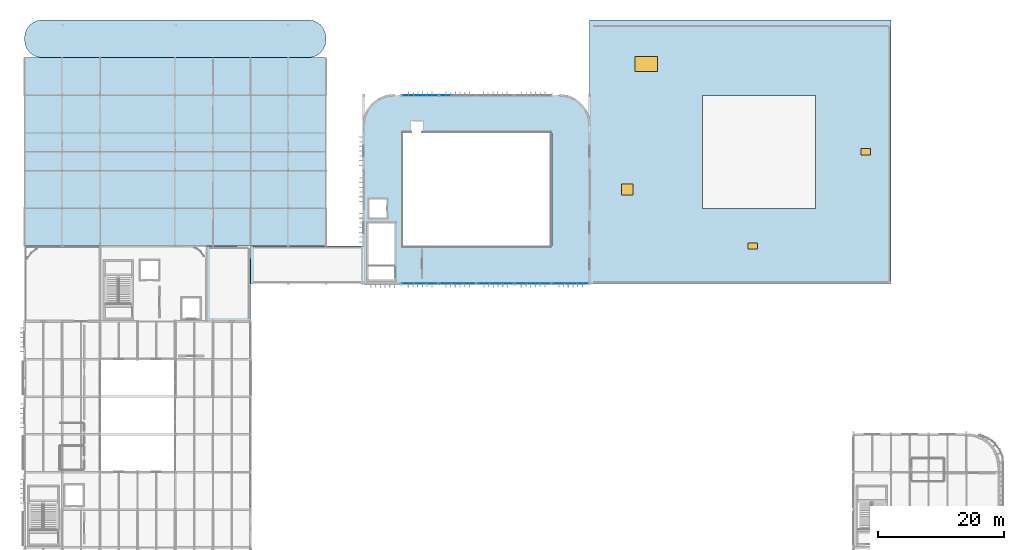
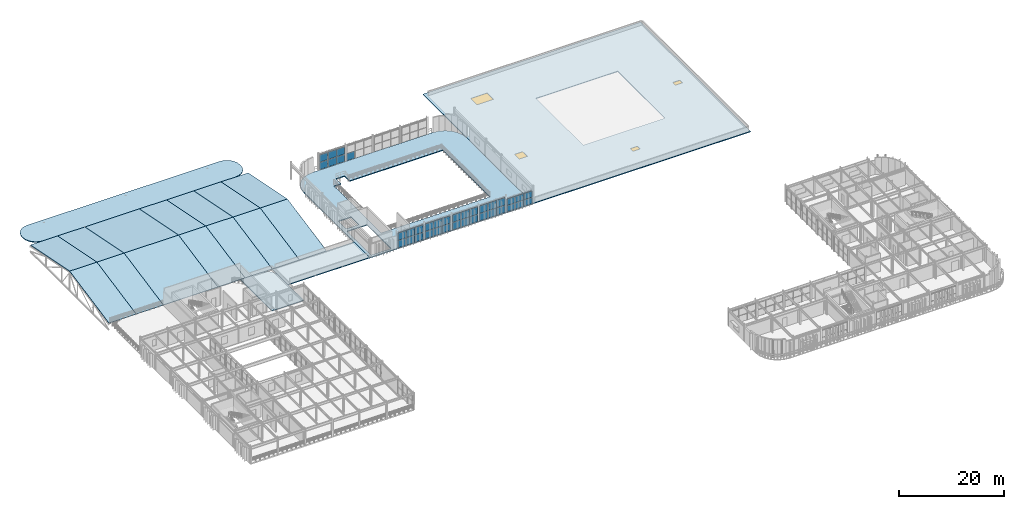
# One storey, part 49 of 83: 37 plates, 19 slabs, 2 doors, 2 windows, 4 openings, 7 elements without a shape of their own.
"""IFC4 building model written with IfcOpenShell, lengths in metres."""

from ifc_helpers import new_model, si_unit, direction, frame, origin, origin_2d, place, context, subcontext, project, spatial, polyline, rectangle, outline, extrude, material, layer, layer_set, type_object, element, fill, aggregate, save


model = new_model("IFC4")

# Units and contexts
model_context = context("Model", 3, precision=1e-05, world=origin(), true_north=direction((0.0, 1.0)))
body_context = subcontext(model_context, "Body", "Model", "MODEL_VIEW")
ifc_project = project(units=[si_unit("LENGTHUNIT", "METRE"), si_unit("AREAUNIT", "SQUARE_METRE"), si_unit("VOLUMEUNIT", "CUBIC_METRE"), si_unit("PLANEANGLEUNIT", "RADIAN"), si_unit("MASSUNIT", "GRAM", prefix="KILO")], contexts=[model_context])

# Site, building, storey
site_placement = place(None, origin())
site = spatial("IfcSite", under=ifc_project, at=site_placement, CompositionType="ELEMENT")
building_placement = place(site_placement, origin())
building = spatial("IfcBuilding", under=site, at=building_placement, Name="Varnakota Square Police Headquarters", CompositionType="ELEMENT")
storey_placement = place(building_placement, frame((0.0, 0.0, 18.0)))
storey = spatial("IfcBuildingStorey", under=building, at=storey_placement, Name="L04", CompositionType="ELEMENT", Elevation=18.0)

# Curtain wall, plates
ifc_material_1 = material(Name="Anodised Aluminium Framing", Category="aluminium")
curtain_wall_type_1 = type_object("IfcCurtainWallType", Name="CW-SYS-B", PredefinedType="NOTDEFINED", material=ifc_material_1)
curtain_wall_1_placement = place(storey_placement, origin())
curtain_wall_1 = element("IfcCurtainWall", 1, at=curtain_wall_1_placement, inside=storey, type_object=curtain_wall_type_1, Name="Unitised curtain wall CWG-L04-255", PredefinedType="NOTDEFINED")
ifc_material_2 = material(Name="Solar-Control Laminated Double Glazing", Category="glass")
ifc_layer_1 = layer(ifc_material_2, 0.028076171875, Name="Solar-Control Laminated Double Glazing")
ifc_layer_set_1 = layer_set([ifc_layer_1], Name="Solar-Control Laminated Double Glazing")
plate_type_1 = type_object("IfcPlateType", Name="CWP-GLZ-28", PredefinedType="CURTAIN_PANEL", material=ifc_layer_set_1)
plate_1_placement = place(storey_placement, frame((73.110595703125, 69.0, 0.06494140625), z_axis=(0.0, 0.0, 1.0), x_axis=(1.0, 0.0, 0.0)))
plate_1 = element("IfcPlate", 2, at=plate_1_placement, type_object=plate_type_1, Name="CWG-L04-255 panel 1.1", PredefinedType="CURTAIN_PANEL", context=body_context, shape_type="SweptSolid", body=[
    extrude(rectangle(XDim=1.781494140625, YDim=0.028076171875, at=origin_2d()), origin(), (0.0, 0.0, 1.0), 1.697509765625),
])
plate_2_placement = place(storey_placement, frame((74.973388671875, 69.0, 0.06494140625), z_axis=(0.0, 0.0, 1.0), x_axis=(1.0, 0.0, 0.0)))
plate_2 = element("IfcPlate", 3, at=plate_2_placement, type_object=plate_type_1, Name="CWG-L04-255 panel 2.1", PredefinedType="CURTAIN_PANEL", context=body_context, shape_type="SweptSolid", body=[
    extrude(rectangle(XDim=1.81396484375, YDim=0.028076171875, at=origin_2d()), origin(), (0.0, 0.0, 1.0), 1.697509765625),
])
plate_3_placement = place(storey_placement, frame((76.836181640625, 69.0, 0.06494140625), z_axis=(0.0, 0.0, 1.0), x_axis=(1.0, 0.0, 0.0)))
plate_3 = element("IfcPlate", 4, at=plate_3_placement, type_object=plate_type_1, Name="CWG-L04-255 panel 3.1", PredefinedType="CURTAIN_PANEL", context=body_context, shape_type="SweptSolid", body=[
    extrude(rectangle(XDim=1.781494140625, YDim=0.028076171875, at=origin_2d()), origin(), (0.0, 0.0, 1.0), 1.697509765625),
])

curtain_wall_type_2 = type_object("IfcCurtainWallType", Name="CW-SYS-C", PredefinedType="NOTDEFINED", material=ifc_material_1)
curtain_wall_2_placement = place(storey_placement, origin())
curtain_wall_2 = element("IfcCurtainWall", 5, at=curtain_wall_2_placement, inside=storey, type_object=curtain_wall_type_2, Name="Unitised curtain wall CWG-L04-259", PredefinedType="NOTDEFINED")
plate_4_placement = place(storey_placement, frame((67.16796875, 99.0, 0.06494140625), z_axis=(0.0, 0.0, 1.0), x_axis=(1.0, 0.0, 0.0)))
plate_4 = element("IfcPlate", 6, at=plate_4_placement, type_object=plate_type_1, Name="CWG-L04-259 panel 1.1", PredefinedType="CURTAIN_PANEL", context=body_context, shape_type="SweptSolid", body=[
    extrude(rectangle(XDim=1.789794921875, YDim=0.028076171875, at=origin_2d()), origin(), (0.0, 0.0, 1.0), 1.697509765625),
])
plate_5_placement = place(storey_placement, frame((69.0390625, 99.0, 0.06494140625), z_axis=(0.0, 0.0, 1.0), x_axis=(1.0, 0.0, 0.0)))
plate_5 = element("IfcPlate", 7, at=plate_5_placement, type_object=plate_type_1, Name="CWG-L04-259 panel 2.1", PredefinedType="CURTAIN_PANEL", context=body_context, shape_type="SweptSolid", body=[
    extrude(rectangle(XDim=1.822265625, YDim=0.028076171875, at=origin_2d()), origin(), (0.0, 0.0, 1.0), 1.697509765625),
])
plate_6_placement = place(storey_placement, frame((70.91015625, 99.0, 0.06494140625), z_axis=(0.0, 0.0, 1.0), x_axis=(1.0, 0.0, 0.0)))
plate_6 = element("IfcPlate", 8, at=plate_6_placement, type_object=plate_type_1, Name="CWG-L04-259 panel 3.1", PredefinedType="CURTAIN_PANEL", context=body_context, shape_type="SweptSolid", body=[
    extrude(rectangle(XDim=1.789794921875, YDim=0.028076171875, at=origin_2d()), origin(), (0.0, 0.0, 1.0), 1.697509765625),
])

curtain_wall_3_placement = place(storey_placement, origin())
curtain_wall_3 = element("IfcCurtainWall", 9, at=curtain_wall_3_placement, inside=storey, type_object=curtain_wall_type_1, Name="Unitised curtain wall CWG-L04-256", PredefinedType="NOTDEFINED")
ifc_material_3 = material(Name="Acoustic Laminated Double Glazing", Category="glass")
ifc_layer_2 = layer(ifc_material_3, 0.031982421875, Name="Acoustic Laminated Double Glazing")
ifc_layer_set_2 = layer_set([ifc_layer_2], Name="Acoustic Laminated Double Glazing")
plate_type_2 = type_object("IfcPlateType", Name="CWP-GLZ-32", PredefinedType="CURTAIN_PANEL", material=ifc_layer_set_2)
plate_7_placement = place(storey_placement, frame((79.16796875, 69.0, 0.06494140625), z_axis=(0.0, 0.0, 1.0), x_axis=(1.0, 0.0, 0.0)))
plate_7 = element("IfcPlate", 10, at=plate_7_placement, type_object=plate_type_2, Name="CWG-L04-256 panel 1.1", PredefinedType="CURTAIN_PANEL", context=body_context, shape_type="SweptSolid", body=[
    extrude(rectangle(XDim=1.789794921875, YDim=0.031982421875, at=origin_2d()), origin(), (0.0, 0.0, 1.0), 1.697509765625),
])
plate_8_placement = place(storey_placement, frame((81.0390625, 69.0, 0.06494140625), z_axis=(0.0, 0.0, 1.0), x_axis=(1.0, 0.0, 0.0)))
plate_8 = element("IfcPlate", 11, at=plate_8_placement, type_object=plate_type_2, Name="CWG-L04-256 panel 2.1", PredefinedType="CURTAIN_PANEL", context=body_context, shape_type="SweptSolid", body=[
    extrude(rectangle(XDim=1.822265625, YDim=0.031982421875, at=origin_2d()), origin(), (0.0, 0.0, 1.0), 1.697509765625),
])
plate_9_placement = place(storey_placement, frame((82.91015625, 69.0, 0.06494140625), z_axis=(0.0, 0.0, 1.0), x_axis=(1.0, 0.0, 0.0)))
plate_9 = element("IfcPlate", 12, at=plate_9_placement, type_object=plate_type_2, Name="CWG-L04-256 panel 3.1", PredefinedType="CURTAIN_PANEL", context=body_context, shape_type="SweptSolid", body=[
    extrude(rectangle(XDim=1.789794921875, YDim=0.031982421875, at=origin_2d()), origin(), (0.0, 0.0, 1.0), 1.697509765625),
])

# Curtain wall, plate
curtain_wall_4_placement = place(storey_placement, origin())
curtain_wall_4 = element("IfcCurtainWall", 13, at=curtain_wall_4_placement, inside=storey, type_object=curtain_wall_type_2, Name="Unitised curtain wall CWG-L04-260", PredefinedType="NOTDEFINED")
plate_10_placement = place(storey_placement, frame((73.0986328125, 99.0, 0.06494140625), z_axis=(0.0, 0.0, 1.0), x_axis=(1.0, 0.0, 0.0)))
plate_10 = element("IfcPlate", 14, at=plate_10_placement, type_object=plate_type_2, Name="CWG-L04-260 panel 1.1", PredefinedType="CURTAIN_PANEL", context=body_context, shape_type="SweptSolid", body=[
    extrude(rectangle(XDim=1.8076171875, YDim=0.031982421875, at=origin_2d()), origin(), (0.0, 0.0, 1.0), 1.697509765625),
])
aggregate(curtain_wall_4, [plate_10])

# Curtain wall, plates
curtain_wall_5_placement = place(storey_placement, origin())
curtain_wall_5 = element("IfcCurtainWall", 15, at=curtain_wall_5_placement, inside=storey, type_object=curtain_wall_type_1, Name="Unitised curtain wall CWG-L04-257", PredefinedType="NOTDEFINED")
ifc_material_4 = material(Name="Blast-Resistant Laminated Glazing", Category="glass")
ifc_layer_3 = layer(ifc_material_4, 0.035888671875, Name="Blast-Resistant Laminated Glazing")
ifc_layer_set_3 = layer_set([ifc_layer_3], Name="Blast-Resistant Laminated Glazing")
plate_type_3 = type_object("IfcPlateType", Name="CWP-GLZ-36", PredefinedType="CURTAIN_PANEL", material=ifc_layer_set_3)
plate_11_placement = place(storey_placement, frame((85.0986328125, 69.0, 0.06494140625), z_axis=(0.0, 0.0, 1.0), x_axis=(1.0, 0.0, 0.0)))
plate_11 = element("IfcPlate", 16, at=plate_11_placement, type_object=plate_type_3, Name="CWG-L04-257 panel 1.1", PredefinedType="CURTAIN_PANEL", context=body_context, shape_type="SweptSolid", body=[
    extrude(rectangle(XDim=1.8076171875, YDim=0.035888671875, at=origin_2d()), origin(), (0.0, 0.0, 1.0), 1.697509765625),
])
plate_12_placement = place(storey_placement, frame((86.987548828125, 69.0, 0.06494140625), z_axis=(0.0, 0.0, 1.0), x_axis=(1.0, 0.0, 0.0)))
plate_12 = element("IfcPlate", 17, at=plate_12_placement, type_object=plate_type_3, Name="CWG-L04-257 panel 2.1", PredefinedType="CURTAIN_PANEL", context=body_context, shape_type="SweptSolid", body=[
    extrude(rectangle(XDim=1.840087890625, YDim=0.035888671875, at=origin_2d()), origin(), (0.0, 0.0, 1.0), 1.697509765625),
])
plate_13_placement = place(storey_placement, frame((88.876220703125, 69.0, 0.06494140625), z_axis=(0.0, 0.0, 1.0), x_axis=(1.0, 0.0, 0.0)))
plate_13 = element("IfcPlate", 18, at=plate_13_placement, type_object=plate_type_3, Name="CWG-L04-257 panel 3.1", PredefinedType="CURTAIN_PANEL", context=body_context, shape_type="SweptSolid", body=[
    extrude(rectangle(XDim=1.8076171875, YDim=0.035888671875, at=origin_2d()), origin(), (0.0, 0.0, 1.0), 1.697509765625),
])

curtain_wall_6_placement = place(storey_placement, origin())
curtain_wall_6 = element("IfcCurtainWall", 19, at=curtain_wall_6_placement, inside=storey, type_object=curtain_wall_type_1, Name="Unitised curtain wall CWG-L04-254", PredefinedType="NOTDEFINED")
ifc_material_5 = material(Name="Triple-Glazed Clean-Lab Vision Unit", Category="aluminium")
ifc_layer_4 = layer(ifc_material_5, 0.0419921875, Name="Triple-Glazed Clean-Lab Vision Unit")
ifc_layer_set_4 = layer_set([ifc_layer_4], Name="Triple-Glazed Clean-Lab Vision Unit")
plate_type_4 = type_object("IfcPlateType", Name="CWP-GLZ-42", PredefinedType="CURTAIN_PANEL", material=ifc_layer_set_4)
plate_14_placement = place(storey_placement, frame((67.0986328125, 69.0, 0.06494140625), z_axis=(0.0, 0.0, 1.0), x_axis=(1.0, 0.0, 0.0)))
plate_14 = element("IfcPlate", 20, at=plate_14_placement, type_object=plate_type_4, Name="CWG-L04-254 panel 1.1", PredefinedType="CURTAIN_PANEL", context=body_context, shape_type="SweptSolid", body=[
    extrude(rectangle(XDim=1.8076171875, YDim=0.0419921875, at=origin_2d()), origin(), (0.0, 0.0, 1.0), 1.697509765625),
])
plate_15_placement = place(storey_placement, frame((68.987548828125, 69.0, 0.06494140625), z_axis=(0.0, 0.0, 1.0), x_axis=(1.0, 0.0, 0.0)))
plate_15 = element("IfcPlate", 21, at=plate_15_placement, type_object=plate_type_4, Name="CWG-L04-254 panel 2.1", PredefinedType="CURTAIN_PANEL", context=body_context, shape_type="SweptSolid", body=[
    extrude(rectangle(XDim=1.840087890625, YDim=0.0419921875, at=origin_2d()), origin(), (0.0, 0.0, 1.0), 1.697509765625),
])
plate_16_placement = place(storey_placement, frame((70.876220703125, 69.0, 0.06494140625), z_axis=(0.0, 0.0, 1.0), x_axis=(1.0, 0.0, 0.0)))
plate_16 = element("IfcPlate", 22, at=plate_16_placement, type_object=plate_type_4, Name="CWG-L04-254 panel 3.1", PredefinedType="CURTAIN_PANEL", context=body_context, shape_type="SweptSolid", body=[
    extrude(rectangle(XDim=1.8076171875, YDim=0.0419921875, at=origin_2d()), origin(), (0.0, 0.0, 1.0), 1.697509765625),
])

curtain_wall_7_placement = place(storey_placement, origin())
curtain_wall_7 = element("IfcCurtainWall", 23, at=curtain_wall_7_placement, inside=storey, type_object=curtain_wall_type_1, Name="Unitised curtain wall CWG-L04-258", PredefinedType="NOTDEFINED")
plate_17_placement = place(storey_placement, frame((91.110595703125, 69.0, 0.06494140625), z_axis=(0.0, 0.0, 1.0), x_axis=(1.0, 0.0, 0.0)))
plate_17 = element("IfcPlate", 24, at=plate_17_placement, type_object=plate_type_4, Name="CWG-L04-258 panel 1.1", PredefinedType="CURTAIN_PANEL", context=body_context, shape_type="SweptSolid", body=[
    extrude(rectangle(XDim=1.781494140625, YDim=0.0419921875, at=origin_2d()), origin(), (0.0, 0.0, 1.0), 1.447509765625),
])
plate_18_placement = place(storey_placement, frame((92.973388671875, 69.0, 0.06494140625), z_axis=(0.0, 0.0, 1.0), x_axis=(1.0, 0.0, 0.0)))
plate_18 = element("IfcPlate", 25, at=plate_18_placement, type_object=plate_type_4, Name="CWG-L04-258 panel 2.1", PredefinedType="CURTAIN_PANEL", context=body_context, shape_type="SweptSolid", body=[
    extrude(rectangle(XDim=1.81396484375, YDim=0.0419921875, at=origin_2d()), origin(), (0.0, 0.0, 1.0), 1.447509765625),
])
plate_19_placement = place(storey_placement, frame((94.836181640625, 69.0, 0.06494140625), z_axis=(0.0, 0.0, 1.0), x_axis=(1.0, 0.0, 0.0)))
plate_19 = element("IfcPlate", 26, at=plate_19_placement, type_object=plate_type_4, Name="CWG-L04-258 panel 3.1", PredefinedType="CURTAIN_PANEL", context=body_context, shape_type="SweptSolid", body=[
    extrude(rectangle(XDim=1.781494140625, YDim=0.0419921875, at=origin_2d()), origin(), (0.0, 0.0, 1.0), 1.447509765625),
])

# Plate
ifc_material_6 = material(Name="Insulated Anodised Aluminium Spandrel Panel", Category="aluminium")
ifc_layer_5 = layer(ifc_material_6, 0.050048828125, Name="Insulated Anodised Aluminium Spandrel Panel")
ifc_layer_set_5 = layer_set([ifc_layer_5], Name="Insulated Anodised Aluminium Spandrel Panel")
plate_type_5 = type_object("IfcPlateType", Name="CWP-SPN-50", PredefinedType="CURTAIN_PANEL", material=ifc_layer_set_5)
plate_20_placement = place(storey_placement, frame((73.110595703125, 69.0, 1.82763671875), z_axis=(0.0, 0.0, 1.0), x_axis=(1.0, 0.0, 0.0)))
plate_20 = element("IfcPlate", 27, at=plate_20_placement, type_object=plate_type_5, Name="CWG-L04-255 panel 1.2", PredefinedType="CURTAIN_PANEL", context=body_context, shape_type="SweptSolid", body=[
    extrude(rectangle(XDim=1.781494140625, YDim=0.050048828125, at=origin_2d()), origin(), (0.0, 0.0, 1.0), 1.697509765625),
])

plate_21_placement = place(storey_placement, frame((74.973388671875, 69.0, 1.82763671875), z_axis=(0.0, 0.0, 1.0), x_axis=(1.0, 0.0, 0.0)))
plate_21 = element("IfcPlate", 28, at=plate_21_placement, type_object=plate_type_5, Name="CWG-L04-255 panel 2.2", PredefinedType="CURTAIN_PANEL", context=body_context, shape_type="SweptSolid", body=[
    extrude(rectangle(XDim=1.81396484375, YDim=0.050048828125, at=origin_2d()), origin(), (0.0, 0.0, 1.0), 1.697509765625),
])

plate_22_placement = place(storey_placement, frame((76.836181640625, 69.0, 1.82763671875), z_axis=(0.0, 0.0, 1.0), x_axis=(1.0, 0.0, 0.0)))
plate_22 = element("IfcPlate", 29, at=plate_22_placement, type_object=plate_type_5, Name="CWG-L04-255 panel 3.2", PredefinedType="CURTAIN_PANEL", context=body_context, shape_type="SweptSolid", body=[
    extrude(rectangle(XDim=1.781494140625, YDim=0.050048828125, at=origin_2d()), origin(), (0.0, 0.0, 1.0), 1.697509765625),
])

aggregate(curtain_wall_1, [plate_1, plate_20, plate_2, plate_21, plate_3, plate_22])

plate_23_placement = place(storey_placement, frame((85.0986328125, 69.0, 1.82763671875), z_axis=(0.0, 0.0, 1.0), x_axis=(1.0, 0.0, 0.0)))
plate_23 = element("IfcPlate", 30, at=plate_23_placement, type_object=plate_type_5, Name="CWG-L04-257 panel 1.2", PredefinedType="CURTAIN_PANEL", context=body_context, shape_type="SweptSolid", body=[
    extrude(rectangle(XDim=1.8076171875, YDim=0.050048828125, at=origin_2d()), origin(), (0.0, 0.0, 1.0), 1.697509765625),
])

plate_24_placement = place(storey_placement, frame((86.987548828125, 69.0, 1.82763671875), z_axis=(0.0, 0.0, 1.0), x_axis=(1.0, 0.0, 0.0)))
plate_24 = element("IfcPlate", 31, at=plate_24_placement, type_object=plate_type_5, Name="CWG-L04-257 panel 2.2", PredefinedType="CURTAIN_PANEL", context=body_context, shape_type="SweptSolid", body=[
    extrude(rectangle(XDim=1.840087890625, YDim=0.050048828125, at=origin_2d()), origin(), (0.0, 0.0, 1.0), 1.697509765625),
])

plate_25_placement = place(storey_placement, frame((88.876220703125, 69.0, 1.82763671875), z_axis=(0.0, 0.0, 1.0), x_axis=(1.0, 0.0, 0.0)))
plate_25 = element("IfcPlate", 32, at=plate_25_placement, type_object=plate_type_5, Name="CWG-L04-257 panel 3.2", PredefinedType="CURTAIN_PANEL", context=body_context, shape_type="SweptSolid", body=[
    extrude(rectangle(XDim=1.8076171875, YDim=0.050048828125, at=origin_2d()), origin(), (0.0, 0.0, 1.0), 1.697509765625),
])

aggregate(curtain_wall_5, [plate_11, plate_23, plate_12, plate_24, plate_13, plate_25])

plate_26_placement = place(storey_placement, frame((67.16796875, 99.0, 1.82763671875), z_axis=(0.0, 0.0, 1.0), x_axis=(1.0, 0.0, 0.0)))
plate_26 = element("IfcPlate", 33, at=plate_26_placement, type_object=plate_type_5, Name="CWG-L04-259 panel 1.2", PredefinedType="CURTAIN_PANEL", context=body_context, shape_type="SweptSolid", body=[
    extrude(rectangle(XDim=1.789794921875, YDim=0.050048828125, at=origin_2d()), origin(), (0.0, 0.0, 1.0), 1.697509765625),
])

plate_27_placement = place(storey_placement, frame((69.0390625, 99.0, 1.82763671875), z_axis=(0.0, 0.0, 1.0), x_axis=(1.0, 0.0, 0.0)))
plate_27 = element("IfcPlate", 34, at=plate_27_placement, type_object=plate_type_5, Name="CWG-L04-259 panel 2.2", PredefinedType="CURTAIN_PANEL", context=body_context, shape_type="SweptSolid", body=[
    extrude(rectangle(XDim=1.822265625, YDim=0.050048828125, at=origin_2d()), origin(), (0.0, 0.0, 1.0), 1.697509765625),
])

plate_28_placement = place(storey_placement, frame((70.91015625, 99.0, 1.82763671875), z_axis=(0.0, 0.0, 1.0), x_axis=(1.0, 0.0, 0.0)))
plate_28 = element("IfcPlate", 35, at=plate_28_placement, type_object=plate_type_5, Name="CWG-L04-259 panel 3.2", PredefinedType="CURTAIN_PANEL", context=body_context, shape_type="SweptSolid", body=[
    extrude(rectangle(XDim=1.789794921875, YDim=0.050048828125, at=origin_2d()), origin(), (0.0, 0.0, 1.0), 1.697509765625),
])

aggregate(curtain_wall_2, [plate_4, plate_26, plate_5, plate_27, plate_6, plate_28])

ifc_material_7 = material(Name="Fire-Stopped Mineral-Wool Spandrel Panel", Category="aluminium")
ifc_layer_6 = layer(ifc_material_7, 0.06005859375, Name="Fire-Stopped Mineral-Wool Spandrel Panel")
ifc_layer_set_6 = layer_set([ifc_layer_6], Name="Fire-Stopped Mineral-Wool Spandrel Panel")
plate_type_6 = type_object("IfcPlateType", Name="CWP-SPN-60", PredefinedType="CURTAIN_PANEL", material=ifc_layer_set_6)
plate_29_placement = place(storey_placement, frame((67.0986328125, 69.0, 1.82763671875), z_axis=(0.0, 0.0, 1.0), x_axis=(1.0, 0.0, 0.0)))
plate_29 = element("IfcPlate", 36, at=plate_29_placement, type_object=plate_type_6, Name="CWG-L04-254 panel 1.2", PredefinedType="CURTAIN_PANEL", context=body_context, shape_type="SweptSolid", body=[
    extrude(rectangle(XDim=1.8076171875, YDim=0.06005859375, at=origin_2d()), origin(), (0.0, 0.0, 1.0), 1.697509765625),
])

plate_30_placement = place(storey_placement, frame((68.987548828125, 69.0, 1.82763671875), z_axis=(0.0, 0.0, 1.0), x_axis=(1.0, 0.0, 0.0)))
plate_30 = element("IfcPlate", 37, at=plate_30_placement, type_object=plate_type_6, Name="CWG-L04-254 panel 2.2", PredefinedType="CURTAIN_PANEL", context=body_context, shape_type="SweptSolid", body=[
    extrude(rectangle(XDim=1.840087890625, YDim=0.06005859375, at=origin_2d()), origin(), (0.0, 0.0, 1.0), 1.697509765625),
])

plate_31_placement = place(storey_placement, frame((70.876220703125, 69.0, 1.82763671875), z_axis=(0.0, 0.0, 1.0), x_axis=(1.0, 0.0, 0.0)))
plate_31 = element("IfcPlate", 38, at=plate_31_placement, type_object=plate_type_6, Name="CWG-L04-254 panel 3.2", PredefinedType="CURTAIN_PANEL", context=body_context, shape_type="SweptSolid", body=[
    extrude(rectangle(XDim=1.8076171875, YDim=0.06005859375, at=origin_2d()), origin(), (0.0, 0.0, 1.0), 1.697509765625),
])

aggregate(curtain_wall_6, [plate_14, plate_29, plate_15, plate_30, plate_16, plate_31])

plate_32_placement = place(storey_placement, frame((79.16796875, 69.0, 1.82763671875), z_axis=(0.0, 0.0, 1.0), x_axis=(1.0, 0.0, 0.0)))
plate_32 = element("IfcPlate", 39, at=plate_32_placement, type_object=plate_type_6, Name="CWG-L04-256 panel 1.2", PredefinedType="CURTAIN_PANEL", context=body_context, shape_type="SweptSolid", body=[
    extrude(rectangle(XDim=1.789794921875, YDim=0.06005859375, at=origin_2d()), origin(), (0.0, 0.0, 1.0), 1.697509765625),
])

plate_33_placement = place(storey_placement, frame((81.0390625, 69.0, 1.82763671875), z_axis=(0.0, 0.0, 1.0), x_axis=(1.0, 0.0, 0.0)))
plate_33 = element("IfcPlate", 40, at=plate_33_placement, type_object=plate_type_6, Name="CWG-L04-256 panel 2.2", PredefinedType="CURTAIN_PANEL", context=body_context, shape_type="SweptSolid", body=[
    extrude(rectangle(XDim=1.822265625, YDim=0.06005859375, at=origin_2d()), origin(), (0.0, 0.0, 1.0), 1.697509765625),
])

plate_34_placement = place(storey_placement, frame((82.91015625, 69.0, 1.82763671875), z_axis=(0.0, 0.0, 1.0), x_axis=(1.0, 0.0, 0.0)))
plate_34 = element("IfcPlate", 41, at=plate_34_placement, type_object=plate_type_6, Name="CWG-L04-256 panel 3.2", PredefinedType="CURTAIN_PANEL", context=body_context, shape_type="SweptSolid", body=[
    extrude(rectangle(XDim=1.789794921875, YDim=0.06005859375, at=origin_2d()), origin(), (0.0, 0.0, 1.0), 1.697509765625),
])

aggregate(curtain_wall_3, [plate_7, plate_32, plate_8, plate_33, plate_9, plate_34])

plate_35_placement = place(storey_placement, frame((91.110595703125, 69.0, 1.57763671875), z_axis=(0.0, 0.0, 1.0), x_axis=(1.0, 0.0, 0.0)))
plate_35 = element("IfcPlate", 42, at=plate_35_placement, type_object=plate_type_6, Name="CWG-L04-258 panel 1.2", PredefinedType="CURTAIN_PANEL", context=body_context, shape_type="SweptSolid", body=[
    extrude(rectangle(XDim=1.781494140625, YDim=0.06005859375, at=origin_2d()), origin(), (0.0, 0.0, 1.0), 1.447509765625),
])

plate_36_placement = place(storey_placement, frame((92.973388671875, 69.0, 1.57763671875), z_axis=(0.0, 0.0, 1.0), x_axis=(1.0, 0.0, 0.0)))
plate_36 = element("IfcPlate", 43, at=plate_36_placement, type_object=plate_type_6, Name="CWG-L04-258 panel 2.2", PredefinedType="CURTAIN_PANEL", context=body_context, shape_type="SweptSolid", body=[
    extrude(rectangle(XDim=1.81396484375, YDim=0.06005859375, at=origin_2d()), origin(), (0.0, 0.0, 1.0), 1.447509765625),
])

plate_37_placement = place(storey_placement, frame((94.836181640625, 69.0, 1.57763671875), z_axis=(0.0, 0.0, 1.0), x_axis=(1.0, 0.0, 0.0)))
plate_37 = element("IfcPlate", 44, at=plate_37_placement, type_object=plate_type_6, Name="CWG-L04-258 panel 3.2", PredefinedType="CURTAIN_PANEL", context=body_context, shape_type="SweptSolid", body=[
    extrude(rectangle(XDim=1.781494140625, YDim=0.06005859375, at=origin_2d()), origin(), (0.0, 0.0, 1.0), 1.447509765625),
])

aggregate(curtain_wall_7, [plate_17, plate_35, plate_18, plate_36, plate_19, plate_37])

# Slab
ifc_material_8 = material(Name="Concrete M40", Category="concrete")
ifc_layer_7 = layer(ifc_material_8, 0.199951171875, Name="Concrete M40")
ifc_layer_set_7 = layer_set([ifc_layer_7], Name="Concrete M40")
slab_type_1 = type_object("IfcSlabType", Name="SL-COMP-200", PredefinedType="FLOOR", material=ifc_layer_set_7)
slab_1_placement = place(storey_placement, frame((0.0, 0.0, -0.199951171875)))
element("IfcSlab", 45, at=slab_1_placement, inside=storey, type_object=slab_type_1, Name="L04 Crisis Management Gallery Slab", PredefinedType="FLOOR", context=body_context, shape_type="SweptSolid", body=[
    extrude(outline(polyline([(60.0, 69.0), (96.0, 69.0), (96.0, 94.199951171875), (95.83642578125, 95.4423828125), (95.35693359375, 96.60009765625), (94.593994140625, 97.593994140625), (93.60009765625, 98.35693359375), (92.4423828125, 98.83642578125), (91.199951171875, 99.0), (64.800048828125, 99.0), (63.5576171875, 98.83642578125), (62.39990234375, 98.35693359375), (61.406005859375, 97.593994140625), (60.64306640625, 96.60009765625), (60.16357421875, 95.4423828125), (60.0, 94.199951171875), (60.0, 69.0)]), holes=[polyline([(66.0, 75.0), (90.0, 75.0), (90.0, 93.0), (69.455078125, 93.0), (69.455078125, 94.905029296875), (67.544921875, 94.905029296875), (67.544921875, 93.0), (66.0, 93.0), (66.0, 75.0)]), polyline([(60.655029296875, 69.554931640625), (65.044921875, 69.554931640625), (65.044921875, 78.7451171875), (60.655029296875, 78.7451171875), (60.655029296875, 69.554931640625)]), polyline([(60.9150390625, 79.514892578125), (63.68505859375, 79.514892578125), (63.68505859375, 82.485107421875), (60.9150390625, 82.485107421875), (60.9150390625, 79.514892578125)])]), origin(), (0.0, 0.0, 1.0), 0.199951171875),
])

# Slab, openings, doors, windows
ifc_layer_8 = layer(ifc_material_8, 0.159912109375, Name="Concrete M40")
ifc_layer_set_8 = layer_set([ifc_layer_8], Name="Concrete M40")
slab_type_2 = type_object("IfcSlabType", Name="SL-RF-160", PredefinedType="ROOF", material=ifc_layer_set_8)
slab_2_placement = place(storey_placement, frame((0.0, 0.0, -0.159912109375)))
slab_2 = element("IfcSlab", 46, at=slab_2_placement, inside=storey, type_object=slab_type_2, Name="L04 Training Wing Flat Roof Slab", PredefinedType="ROOF", context=body_context, shape_type="SweptSolid", body=[
    extrude(outline(polyline([(96.0, 69.0), (144.0, 69.0), (144.0, 111.0), (96.0, 111.0), (96.0, 69.0)]), holes=[polyline([(114.0, 81.0), (132.0, 81.0), (132.0, 99.0), (114.0, 99.0), (114.0, 81.0)])]), origin(), (0.0, 0.0, 1.0), 0.159912109375),
])
opening_1_placement = place(slab_2_placement, frame((102.0, 84.0, -0.010009765625)))
opening_1 = element("IfcOpeningElement", 47, at=opening_1_placement, cuts=slab_2, Name="Opening SK03", PredefinedType="OPENING", context=body_context, shape_type="SweptSolid", body=[
    extrude(rectangle(XDim=1.800048828125, YDim=1.800048828125, at=origin_2d()), origin(), (0.0, 0.0, 1.0), 0.179931640625),
])
opening_2_placement = place(slab_2_placement, frame((105.0, 104.0, -0.010009765625)))
opening_2 = element("IfcOpeningElement", 48, at=opening_2_placement, cuts=slab_2, Name="Opening SK04", PredefinedType="OPENING", context=body_context, shape_type="SweptSolid", body=[
    extrude(rectangle(XDim=3.60009765625, YDim=2.39990234375, at=origin_2d()), origin(), (0.0, 0.0, 1.0), 0.179931640625),
])
opening_3_placement = place(slab_2_placement, frame((122.0, 75.0, -0.010009765625)))
opening_3 = element("IfcOpeningElement", 49, at=opening_3_placement, cuts=slab_2, Name="Opening RH03", PredefinedType="OPENING", context=body_context, shape_type="SweptSolid", body=[
    extrude(rectangle(XDim=1.5, YDim=1.0, at=origin_2d()), origin(), (0.0, 0.0, 1.0), 0.179931640625),
])
opening_4_placement = place(slab_2_placement, frame((140.0, 90.0, -0.010009765625)))
opening_4 = element("IfcOpeningElement", 50, at=opening_4_placement, cuts=slab_2, Name="Opening RH04", PredefinedType="OPENING", context=body_context, shape_type="SweptSolid", body=[
    extrude(rectangle(XDim=1.5, YDim=1.0, at=origin_2d()), origin(), (0.0, 0.0, 1.0), 0.179931640625),
])
ifc_material_9 = material(Name="Insulated Aluminium Smoke & Maintenance Hatch", Category="aluminium")
door_type = type_object("IfcDoorType", Name="DR-HTCH-150", OperationType="NOTDEFINED", PredefinedType="TRAPDOOR", material=ifc_material_9)
door_1_placement = place(opening_3_placement, frame((0.0, 0.0, 0.06494140625)))
door_1 = element("IfcDoor", 51, at=door_1_placement, inside=storey, type_object=door_type, Name="Roof access hatch RH03", OperationType="SINGLE_SWING_LEFT", OverallHeight=1.0, OverallWidth=1.5, PredefinedType="TRAPDOOR", context=body_context, shape_type="SweptSolid", body=[
    extrude(rectangle(XDim=1.5, YDim=1.0, at=origin_2d()), origin(), (0.0, 0.0, 1.0), 0.050048828125),
])
fill(opening_3, door_1)
door_2_placement = place(opening_4_placement, frame((0.0, 0.0, 0.06494140625)))
door_2 = element("IfcDoor", 52, at=door_2_placement, inside=storey, type_object=door_type, Name="Roof access hatch RH04", OperationType="SINGLE_SWING_LEFT", OverallHeight=1.0, OverallWidth=1.5, PredefinedType="TRAPDOOR", context=body_context, shape_type="SweptSolid", body=[
    extrude(rectangle(XDim=1.5, YDim=1.0, at=origin_2d()), origin(), (0.0, 0.0, 1.0), 0.050048828125),
])
fill(opening_4, door_2)
ifc_material_10 = material(Name="Thermally Broken Aluminium Double-Glazed Window", Category="aluminium")
window_type_1 = type_object("IfcWindowType", Name="SKY-03", PartitioningType="SINGLE_PANEL", PredefinedType="SKYLIGHT", material=ifc_material_10)
window_1_placement = place(opening_1_placement, frame((0.0, 0.0, 0.06494140625)))
window_1 = element("IfcWindow", 53, at=window_1_placement, inside=storey, type_object=window_type_1, Name="Roof skylight SKY-L04-03", OverallHeight=1.800048828125, OverallWidth=1.800048828125, PartitioningType="SINGLE_PANEL", PredefinedType="SKYLIGHT", context=body_context, shape_type="SweptSolid", body=[
    extrude(rectangle(XDim=1.800048828125, YDim=1.800048828125, at=origin_2d()), origin(), (0.0, 0.0, 1.0), 0.050048828125),
])
fill(opening_1, window_1)
window_type_2 = type_object("IfcWindowType", Name="SKY-04", PartitioningType="SINGLE_PANEL", PredefinedType="SKYLIGHT", material=ifc_material_10)
window_2_placement = place(opening_2_placement, frame((0.0, 0.0, 0.06494140625)))
window_2 = element("IfcWindow", 54, at=window_2_placement, inside=storey, type_object=window_type_2, Name="Roof skylight SKY-L04-04", OverallHeight=2.39990234375, OverallWidth=3.60009765625, PartitioningType="SINGLE_PANEL", PredefinedType="SKYLIGHT", context=body_context, shape_type="SweptSolid", body=[
    extrude(rectangle(XDim=3.60009765625, YDim=2.39990234375, at=origin_2d()), origin(), (0.0, 0.0, 1.0), 0.050048828125),
])
fill(opening_2, window_2)

# Slabs
slab_3_placement = place(storey_placement, frame((0.0, 0.0, -0.159912109375)))
element("IfcSlab", 55, at=slab_3_placement, inside=storey, type_object=slab_type_2, Name="L04 North Bridge Roof Slab", PredefinedType="ROOF", context=body_context, shape_type="SweptSolid", body=[
    extrude(outline(polyline([(42.0, 69.0), (60.0, 69.0), (60.0, 75.0), (42.0, 75.0), (42.0, 69.0)])), origin(), (0.0, 0.0, 1.0), 0.159912109375),
])
slab_4_placement = place(storey_placement, frame((0.0, 0.0, -0.159912109375)))
element("IfcSlab", 56, at=slab_4_placement, inside=storey, type_object=slab_type_2, Name="L04 Forensic Northeast Step-Back Roof Slab", PredefinedType="ROOF", context=body_context, shape_type="SweptSolid", body=[
    extrude(outline(polyline([(35.0, 63.0), (42.0, 63.0), (42.0, 72.60009765625), (41.918212890625, 73.22119140625), (41.678466796875, 73.800048828125), (41.297119140625, 74.297119140625), (40.800048828125, 74.678466796875), (40.22119140625, 74.918212890625), (39.60009765625, 75.0), (35.0, 75.0), (35.0, 63.0)])), origin(), (0.0, 0.0, 1.0), 0.159912109375),
])
slab_5_placement = place(storey_placement, frame((0.0, 0.0, -0.159912109375)))
element("IfcSlab", 57, at=slab_5_placement, inside=storey, type_object=slab_type_2, Name="L04 Tactical Hall North Flat Roof", PredefinedType="ROOF", context=body_context, shape_type="SweptSolid", body=[
    extrude(outline(polyline([(6.0, 107.800048828125), (6.095458984375, 107.0751953125), (6.375, 106.39990234375), (6.820068359375, 105.820068359375), (7.39990234375, 105.375), (8.0751953125, 105.095458984375), (8.800048828125, 105.0), (51.199951171875, 105.0), (51.9248046875, 105.095458984375), (52.60009765625, 105.375), (53.179931640625, 105.820068359375), (53.625, 106.39990234375), (53.904541015625, 107.0751953125), (54.0, 107.800048828125), (54.0, 108.199951171875), (53.904541015625, 108.9248046875), (53.625, 109.60009765625), (53.179931640625, 110.179931640625), (52.60009765625, 110.625), (51.9248046875, 110.904541015625), (51.199951171875, 111.0), (8.800048828125, 111.0), (8.0751953125, 110.904541015625), (7.39990234375, 110.625), (6.820068359375, 110.179931640625), (6.375, 109.60009765625), (6.095458984375, 108.9248046875), (6.0, 108.199951171875), (6.0, 107.800048828125)])), origin(), (0.0, 0.0, 1.0), 0.159912109375),
])
ifc_layer_9 = layer(ifc_material_8, 0.1201171875, Name="Concrete M40")
ifc_layer_set_9 = layer_set([ifc_layer_9], Name="Concrete M40")
slab_type_3 = type_object("IfcSlabType", Name="SL-TRS-120", PredefinedType="ROOF", material=ifc_layer_set_9)
for number, where, z_axis, x_axis, name in (
    (58, (6.0, 75.0, 0.0), (0.0, -0.196116135138, 0.980580675691), (1.0, 0.0, 0.0), "Tactical hall south pitched roof B01"),
    (59, (6.0, 90.0, 3.0), (0.0, 0.196116135138, 0.980580675691), (1.0, 0.0, 0.0), "Tactical hall north pitched roof B01"),
    (60, (12.0, 75.0, 0.0), (0.0, -0.196116135138, 0.980580675691), (1.0, 0.0, 0.0), "Tactical hall south pitched roof B02"),
    (61, (12.0, 90.0, 3.0), (0.0, 0.196116135138, 0.980580675691), (1.0, 0.0, 0.0), "Tactical hall north pitched roof B02"),
):
    element("IfcSlab", number, at=place(storey_placement, frame(where, z_axis=z_axis, x_axis=x_axis)), inside=storey, type_object=slab_type_3, Name=name, PredefinedType="ROOF", context=body_context, shape_type="SweptSolid", body=[
        extrude(outline(polyline([(0.0, 0.0), (6.0, 0.0), (6.0, 15.297058540778355), (0.0, 15.297058540778355), (0.0, 0.0)])), origin(), (0.0, 0.0, -1.0), 0.1201171875),
    ])
for number, where, z_axis, x_axis, name in (
    (62, (18.0, 75.0, 0.0), (0.0, -0.196116135138, 0.980580675691), (1.0, 0.0, 0.0), "Tactical hall south pitched roof B03"),
    (63, (18.0, 90.0, 3.0), (0.0, 0.196116135138, 0.980580675691), (1.0, 0.0, 0.0), "Tactical hall north pitched roof B03"),
):
    element("IfcSlab", number, at=place(storey_placement, frame(where, z_axis=z_axis, x_axis=x_axis)), inside=storey, type_object=slab_type_3, Name=name, PredefinedType="ROOF", context=body_context, shape_type="SweptSolid", body=[
        extrude(outline(polyline([(0.0, 0.0), (12.0, 0.0), (12.0, 15.297058540778355), (0.0, 15.297058540778355), (0.0, 0.0)])), origin(), (0.0, 0.0, -1.0), 0.1201171875),
    ])
for number, where, z_axis, x_axis, name in (
    (64, (30.0, 75.0, 0.0), (0.0, -0.196116135138, 0.980580675691), (1.0, 0.0, 0.0), "Tactical hall south pitched roof B04"),
    (65, (30.0, 90.0, 3.0), (0.0, 0.196116135138, 0.980580675691), (1.0, 0.0, 0.0), "Tactical hall north pitched roof B04"),
    (66, (36.0, 75.0, 0.0), (0.0, -0.196116135138, 0.980580675691), (1.0, 0.0, 0.0), "Tactical hall south pitched roof B05"),
    (67, (36.0, 90.0, 3.0), (0.0, 0.196116135138, 0.980580675691), (1.0, 0.0, 0.0), "Tactical hall north pitched roof B05"),
    (68, (42.0, 75.0, 0.0), (0.0, -0.196116135138, 0.980580675691), (1.0, 0.0, 0.0), "Tactical hall south pitched roof B06"),
    (69, (42.0, 90.0, 3.0), (0.0, 0.196116135138, 0.980580675691), (1.0, 0.0, 0.0), "Tactical hall north pitched roof B06"),
    (70, (48.0, 75.0, 0.0), (0.0, -0.196116135138, 0.980580675691), (1.0, 0.0, 0.0), "Tactical hall south pitched roof B07"),
    (71, (48.0, 90.0, 3.0), (0.0, 0.196116135138, 0.980580675691), (1.0, 0.0, 0.0), "Tactical hall north pitched roof B07"),
):
    element("IfcSlab", number, at=place(storey_placement, frame(where, z_axis=z_axis, x_axis=x_axis)), inside=storey, type_object=slab_type_3, Name=name, PredefinedType="ROOF", context=body_context, shape_type="SweptSolid", body=[
        extrude(outline(polyline([(0.0, 0.0), (6.0, 0.0), (6.0, 15.297058540778355), (0.0, 15.297058540778355), (0.0, 0.0)])), origin(), (0.0, 0.0, -1.0), 0.1201171875),
    ])

save(model, "model.ifc")
